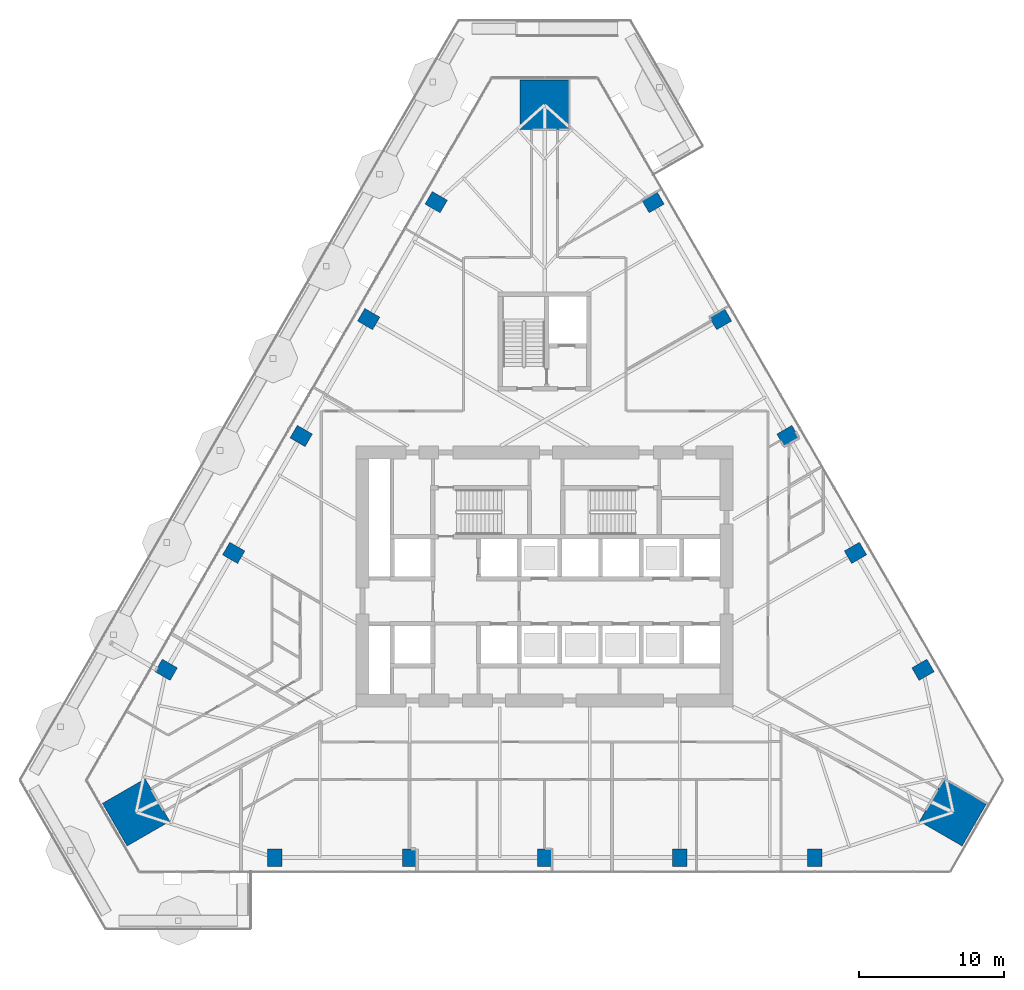
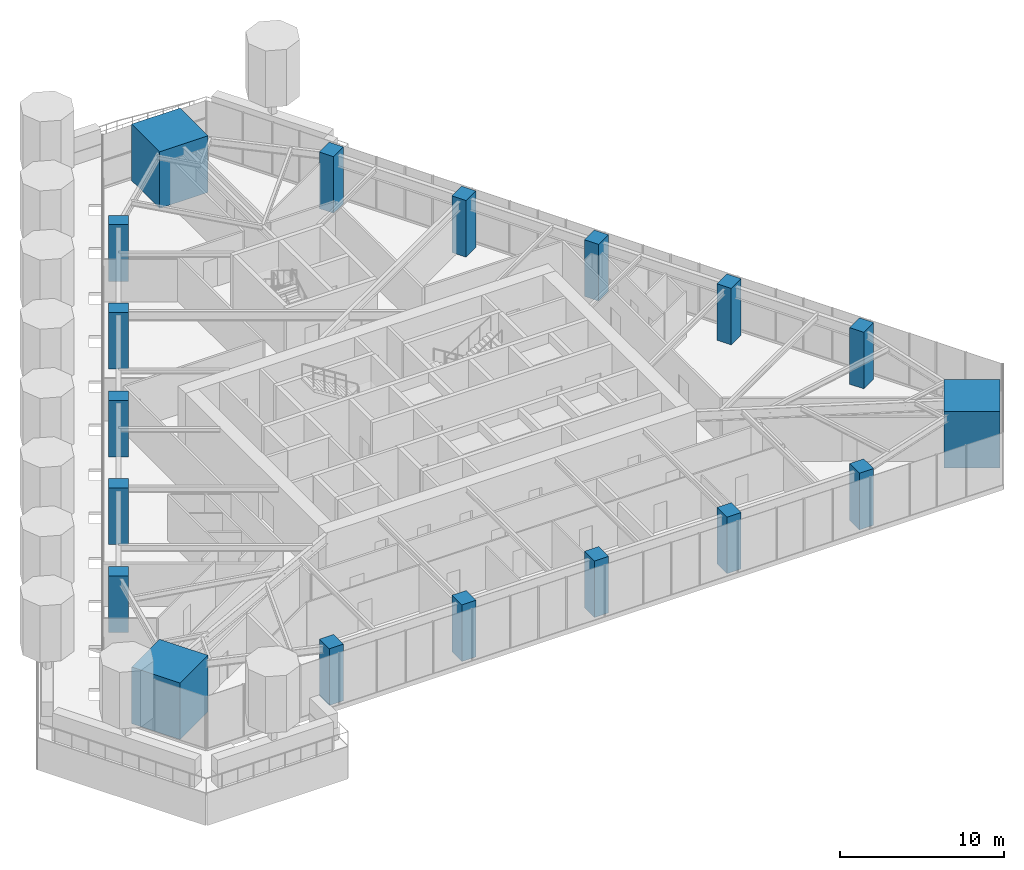
# One storey, part 1 of 25: 18 columns.
"""IFC4 building model written with IfcOpenShell, lengths in metres."""

from ifc_helpers import new_model, si_unit, direction, frame, origin, origin_2d, place, context, subcontext, project, spatial, rectangle, extrude, material, material_profile, profile_set, type_object, element, save


model = new_model("IFC4")

# Units and contexts
model_context = context("Model", 3, precision=1e-05, world=origin(), true_north=direction((0.0, 1.0)))
body_context = subcontext(model_context, "Body", "Model", "MODEL_VIEW")
ifc_project = project(units=[si_unit("LENGTHUNIT", "METRE"), si_unit("AREAUNIT", "SQUARE_METRE"), si_unit("VOLUMEUNIT", "CUBIC_METRE"), si_unit("PLANEANGLEUNIT", "RADIAN"), si_unit("MASSUNIT", "GRAM", prefix="KILO")], contexts=[model_context])

# Site, building, storey
site_placement = place(None, origin())
site = spatial("IfcSite", under=ifc_project, at=site_placement, CompositionType="ELEMENT")
building_placement = place(site_placement, origin())
building = spatial("IfcBuilding", under=site, at=building_placement, Name="Firuza Gate Tower and Library", CompositionType="ELEMENT")
storey_placement = place(building_placement, frame((0.0, 0.0, 119.800048828125)))
storey = spatial("IfcBuildingStorey", under=building, at=storey_placement, Name="L27", CompositionType="ELEMENT", Elevation=119.800048828125)

# Columns
ifc_material_1 = material(Name="Concrete C80/95", Category="concrete")
ifc_material_profile_1 = material_profile(ifc_material_1, rectangle(XDim=3.39990234375, YDim=3.39990234375, at=origin_2d()))
ifc_profile_set_1 = profile_set([ifc_material_profile_1], Name="Concrete C80/95")
column_type_1 = type_object("IfcColumnType", Name="Mega column 3400x3400 C80/95", PredefinedType="COLUMN", material=ifc_profile_set_1)
for number, where, z_axis, x_axis, name in (
    (1, (103.15625, 58.743896484375, 0.0), (0.0, 0.0, 1.0), (0.5, 0.866025403784, 0.0), "Mega column SE L27"),
    (2, (75.0, 107.51220703125, 0.0), (0.0, 0.0, 1.0), (-1.0, 0.0, 0.0), "Mega column N L27"),
    (3, (46.84375, 58.743896484375, 0.0), (0.0, 0.0, 1.0), (0.5, -0.866025403784, 0.0), "Mega column SW L27"),
):
    element("IfcColumn", number, at=place(storey_placement, frame(where, z_axis=z_axis, x_axis=x_axis)), inside=storey, type_object=column_type_1, Name=name, PredefinedType="COLUMN", context=body_context, shape_type="SweptSolid", body=[
        extrude(rectangle(XDim=3.39990234375, YDim=3.39990234375, at=origin_2d()), origin(), (0.0, 0.0, 1.0), 4.199951171875),
    ])
ifc_material_2 = material(Name="Concrete C60/75", Category="concrete")
ifc_material_profile_2 = material_profile(ifc_material_2, rectangle(XDim=1.0, YDim=1.199951171875, at=origin_2d()))
ifc_profile_set_2 = profile_set([ifc_material_profile_2], Name="Concrete C60/75")
column_type_2 = type_object("IfcColumnType", Name="Perimeter column 1000x1200 C60/75", PredefinedType="COLUMN", material=ifc_profile_set_2)
for number, where, z_axis, x_axis, name in (
    (4, (56.389892578125, 55.626220703125, -0.00048828125), (0.0, 0.0, 1.0), (1.0, 0.0, 0.0), "Column S1 L27"),
    (5, (65.69482421875, 55.626220703125, -0.00048828125), (0.0, 0.0, 1.0), (1.0, 0.0, 0.0), "Column S2 L27"),
    (6, (75.0, 55.626220703125, -0.00048828125), (0.0, 0.0, 1.0), (1.0, 0.0, 0.0), "Column S3 L27"),
    (7, (84.30517578125, 55.626220703125, -0.00048828125), (0.0, 0.0, 1.0), (1.0, 0.0, 0.0), "Column S4 L27"),
    (8, (93.610107421875, 55.626220703125, -0.00048828125), (0.0, 0.0, 1.0), (1.0, 0.0, 0.0), "Column S5 L27"),
    (9, (101.083251953125, 68.570068359375, -0.00048828125), (0.0, 0.0, 1.0), (-0.5, 0.866025403784, 0.0), "Column E1 L27"),
    (10, (96.4306640625, 76.62841796875, -0.00048828125), (0.0, 0.0, 1.0), (-0.5, 0.866025403784, 0.0), "Column E2 L27"),
    (11, (91.778076171875, 84.686767578125, -0.00048828125), (0.0, 0.0, 1.0), (-0.5, 0.866025403784, 0.0), "Column E3 L27"),
    (12, (87.125732421875, 92.745361328125, -0.00048828125), (0.0, 0.0, 1.0), (-0.5, 0.866025403784, 0.0), "Column E4 L27"),
    (13, (82.47314453125, 100.8037109375, -0.00048828125), (0.0, 0.0, 1.0), (-0.5, 0.866025403784, 0.0), "Column E5 L27"),
    (14, (67.52685546875, 100.8037109375, -0.00048828125), (0.0, 0.0, 1.0), (-0.5, -0.866025403784, 0.0), "Column W1 L27"),
    (15, (62.874267578125, 92.745361328125, -0.00048828125), (0.0, 0.0, 1.0), (-0.5, -0.866025403784, 0.0), "Column W2 L27"),
    (16, (58.221923828125, 84.686767578125, -0.00048828125), (0.0, 0.0, 1.0), (-0.5, -0.866025403784, 0.0), "Column W3 L27"),
    (17, (53.5693359375, 76.62841796875, -0.00048828125), (0.0, 0.0, 1.0), (-0.5, -0.866025403784, 0.0), "Column W4 L27"),
    (18, (48.916748046875, 68.570068359375, -0.00048828125), (0.0, 0.0, 1.0), (-0.5, -0.866025403784, 0.0), "Column W5 L27"),
):
    element("IfcColumn", number, at=place(storey_placement, frame(where, z_axis=z_axis, x_axis=x_axis)), inside=storey, type_object=column_type_2, Name=name, PredefinedType="COLUMN", context=body_context, shape_type="SweptSolid", body=[
        extrude(rectangle(XDim=1.0, YDim=1.199951171875, at=origin_2d()), origin(), (0.0, 0.0, 1.0), 4.200439453125),
    ])

save(model, "model.ifc")
